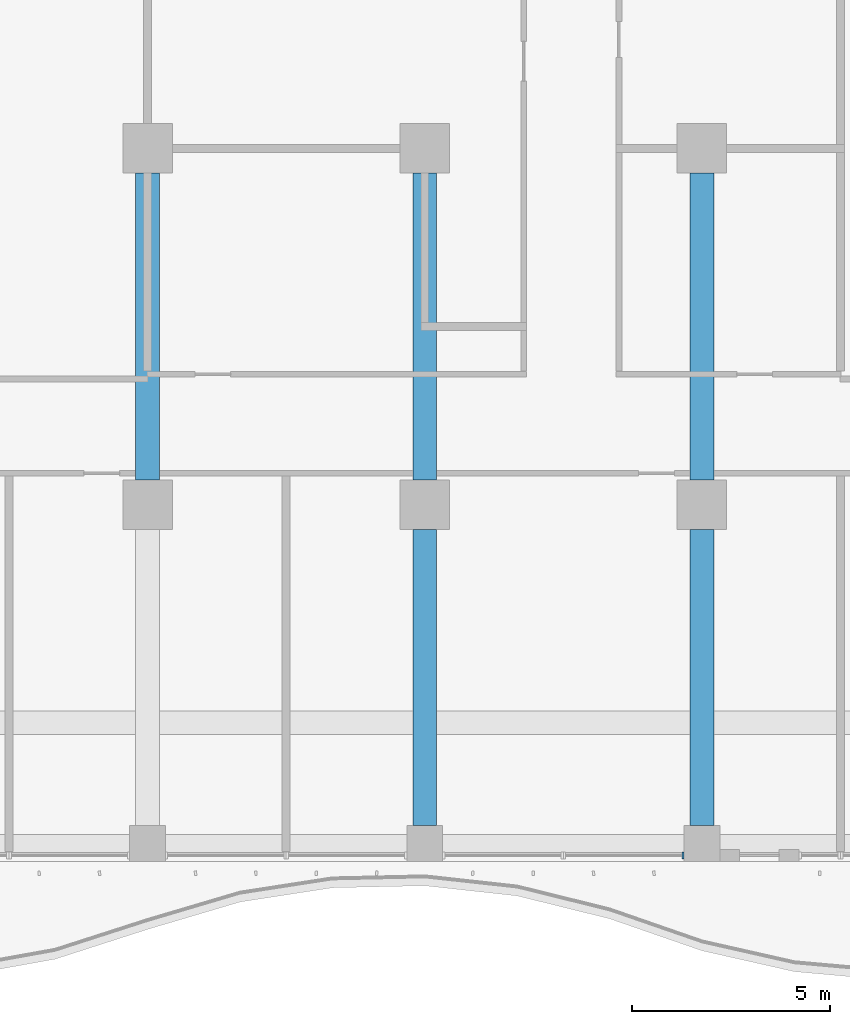
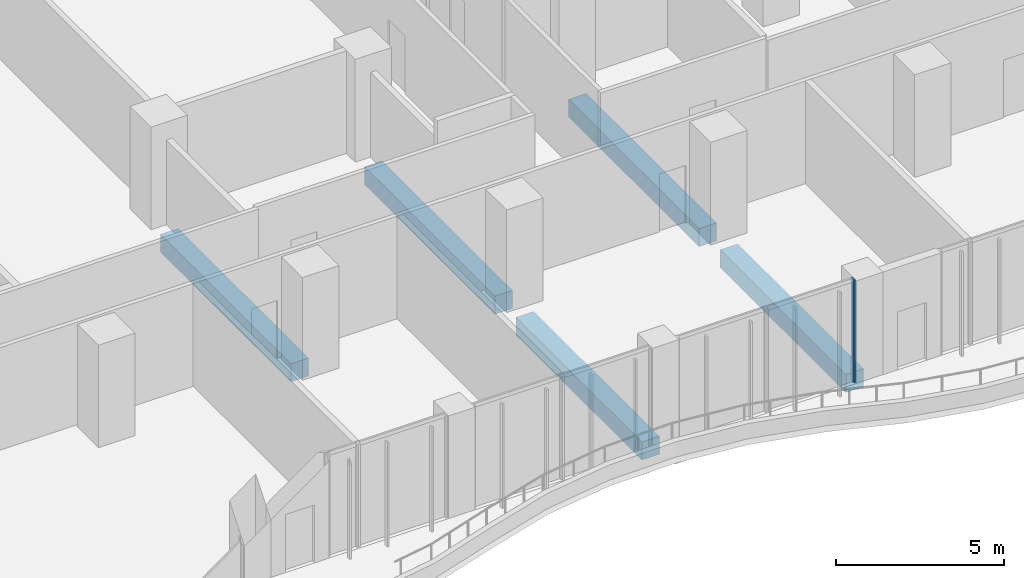
# One storey, part 4 of 28: 5 beams, 1 member, 1 element without a shape of its own.
"""IFC4 building model written with IfcOpenShell, lengths in metres."""

from ifc_helpers import new_model, si_unit, direction, frame, origin, origin_2d, place, context, subcontext, project, spatial, rectangle, extrude, source, transform, mapped, material, material_profile, profile_set, type_object, element, aggregate, save


model = new_model("IFC4")

# Units and contexts
model_context = context("Model", 3, precision=1e-05, world=origin(), true_north=direction((0.0, 1.0)))
body_context = subcontext(model_context, "Body", "Model", "MODEL_VIEW")
ifc_project = project(units=[si_unit("LENGTHUNIT", "METRE"), si_unit("AREAUNIT", "SQUARE_METRE"), si_unit("VOLUMEUNIT", "CUBIC_METRE"), si_unit("PLANEANGLEUNIT", "RADIAN"), si_unit("MASSUNIT", "GRAM", prefix="KILO")], contexts=[model_context])

# Site, building, storey
site_placement = place(None, origin())
site = spatial("IfcSite", under=ifc_project, at=site_placement, CompositionType="ELEMENT")
building_placement = place(site_placement, origin())
building = spatial("IfcBuilding", under=site, at=building_placement, Name="Kilnfold Tower and Market Hall", CompositionType="ELEMENT")
storey_placement = place(building_placement, frame((0.0, 0.0, 75.199951171875)))
storey = spatial("IfcBuildingStorey", under=building, at=storey_placement, Name="L17", CompositionType="ELEMENT", Elevation=75.199951171875)

# Beams
ifc_material_1 = material(Name="Concrete C45", Category="concrete")
ifc_material_profile_1 = material_profile(ifc_material_1, rectangle(XDim=0.60009765625, YDim=0.64990234375, at=origin_2d()), Name="RC 600x650")
ifc_profile_set_1 = profile_set([ifc_material_profile_1], Name="Concrete C45")
beam_type = type_object("IfcBeamType", Name="BEAM 600X650 C45", PredefinedType="BEAM", material=ifc_profile_set_1)
shared_shape_1 = source(origin(), body_context, "Body", "SweptSolid", [
    extrude(rectangle(XDim=0.60009765625, YDim=0.64990234375, at=origin_2d()), origin(), (0.0, 0.0, 1.0), 7.47509765625),
])
for number, where, z_axis, x_axis, name in (
    (1, (1.5, -27.10009765625, -0.60498046875), (0.0, 1.0, 0.0), (-1.0, 0.0, 0.0), "Beam BB650-B2.87"),
    (2, (8.5, -27.10009765625, -0.60498046875), (0.0, 1.0, 0.0), (-1.0, 0.0, 0.0), "Beam BB650-B2.89"),
):
    element("IfcBeam", number, at=place(storey_placement, frame(where, z_axis=z_axis, x_axis=x_axis)), inside=storey, type_object=beam_type, Name=name, PredefinedType="BEAM", context=body_context, shape_type="MappedRepresentation", body=[
        mapped(shared_shape_1, transform((0.0, 0.0, 0.0))),
    ])
shared_shape_2 = source(origin(), body_context, "Body", "SweptSolid", [
    extrude(rectangle(XDim=0.60009765625, YDim=0.64990234375, at=origin_2d()), origin(), (0.0, 0.0, 1.0), 7.75),
])
for number, where, z_axis, x_axis, name in (
    (3, (-5.5, -18.375, -0.60498046875), (0.0, 1.0, 0.0), (-1.0, 0.0, 0.0), "Beam BB650-B2.86"),
    (4, (1.5, -18.375, -0.60498046875), (0.0, 1.0, 0.0), (-1.0, 0.0, 0.0), "Beam BB650-B2.88"),
    (5, (8.5, -18.375, -0.60498046875), (0.0, 1.0, 0.0), (-1.0, 0.0, 0.0), "Beam BB650-B2.90"),
):
    element("IfcBeam", number, at=place(storey_placement, frame(where, z_axis=z_axis, x_axis=x_axis)), inside=storey, type_object=beam_type, Name=name, PredefinedType="BEAM", context=body_context, shape_type="MappedRepresentation", body=[
        mapped(shared_shape_2, transform((0.0, 0.0, 0.0))),
    ])

# Curtain wall, member
ifc_material_2 = material(Name="Aluminium and double glazing", Category="aluminium")
curtain_wall_type = type_object("IfcCurtainWallType", Name="CW OF1 VALLEY GLAZING", PredefinedType="NOTDEFINED", material=ifc_material_2)
curtain_wall_placement = place(storey_placement, origin())
curtain_wall = element("IfcCurtainWall", 6, at=curtain_wall_placement, inside=storey, type_object=curtain_wall_type, Name="Curtain wall CW1 L17 S", PredefinedType="NOTDEFINED")
ifc_material_3 = material(Name="Aluminium", Category="aluminium")
ifc_material_profile_2 = material_profile(ifc_material_3, rectangle(XDim=0.06005859375, YDim=0.179931640625, at=origin_2d()), Name="MULLION 60x180")
ifc_profile_set_2 = profile_set([ifc_material_profile_2], Name="Aluminium")
member_type = type_object("IfcMemberType", Name="MULLION 60X180", PredefinedType="MULLION", material=ifc_profile_set_2)
shared_shape_3 = source(origin(), body_context, "Body", "SweptSolid", [
    extrude(rectangle(XDim=0.06005859375, YDim=0.179931640625, at=origin_2d()), origin(), (0.0, 0.0, 1.0), 3.719970703125),
])
member_placement = place(storey_placement, frame((8.02001953125, -27.85009765625, 0.0), z_axis=(0.0, 0.0, 1.0), x_axis=(1.0, 0.0, 0.0)))
member = element("IfcMember", 7, at=member_placement, type_object=member_type, Name="CW1 mullion 2", PredefinedType="MULLION", context=body_context, shape_type="MappedRepresentation", body=[
    mapped(shared_shape_3, transform((0.0, 0.0, 0.0))),
])
aggregate(curtain_wall, [member])

save(model, "model.ifc")
